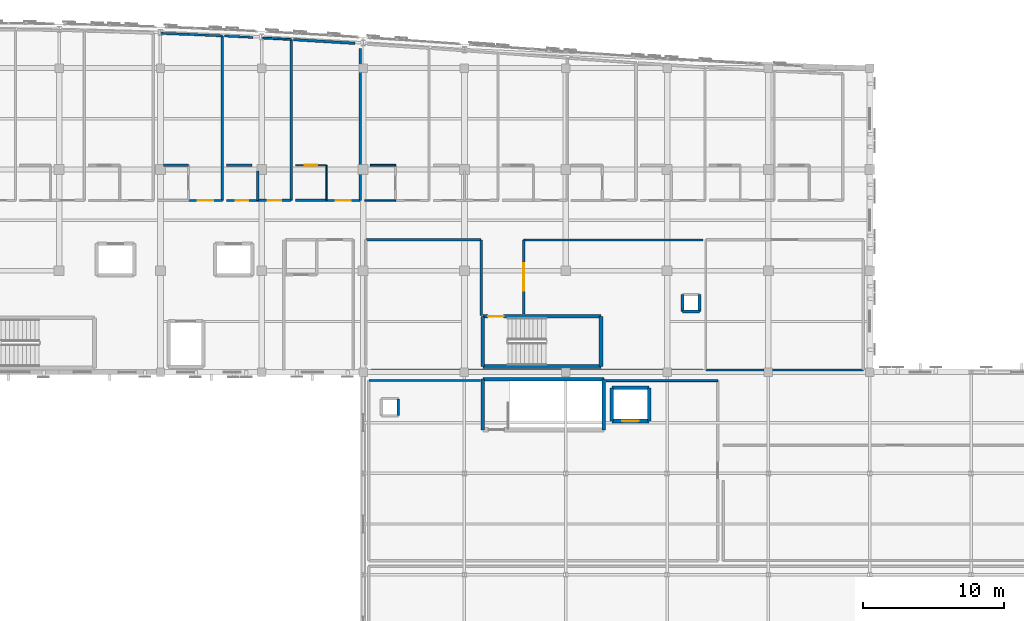
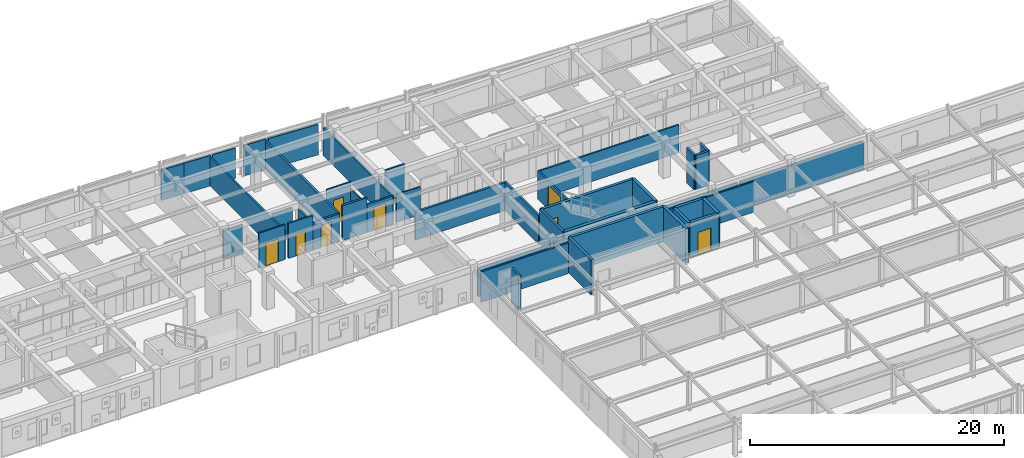
# One storey, part 64 of 73: 43 walls, 8 doors, 8 openings.
"""IFC4 building model written with IfcOpenShell, lengths in metres."""

from ifc_helpers import new_model, si_unit, direction, frame, frame_2d, origin, place, context, subcontext, project, spatial, rectangle, extrude, material, layer, layer_set, type_object, element, fill, save


model = new_model("IFC4")

# Units and contexts
model_context = context("Model", 3, precision=1e-05, world=origin(), true_north=direction((0.0, 1.0)))
body_context = subcontext(model_context, "Body", "Model", "MODEL_VIEW")
ifc_project = project(units=[si_unit("LENGTHUNIT", "METRE"), si_unit("AREAUNIT", "SQUARE_METRE"), si_unit("VOLUMEUNIT", "CUBIC_METRE"), si_unit("PLANEANGLEUNIT", "RADIAN"), si_unit("MASSUNIT", "GRAM", prefix="KILO")], contexts=[model_context])

# Site, building, storey
site_placement = place(None, origin())
site = spatial("IfcSite", under=ifc_project, at=site_placement, CompositionType="ELEMENT")
building_placement = place(site_placement, origin())
building = spatial("IfcBuilding", under=site, at=building_placement, Name="Carrowvane Square Congress Hotel", CompositionType="ELEMENT")
storey_placement = place(building_placement, frame((0.0, 0.0, 19.199951171875)))
storey = spatial("IfcBuildingStorey", under=building, at=storey_placement, Name="L04", CompositionType="ELEMENT", Elevation=19.199951171875)

# Wall
ifc_material_1 = material(Name="Acoustic gypsum board", Category="gypsum")
ifc_layer_1 = layer(ifc_material_1, 0.155029296875)
ifc_layer_set_1 = layer_set([ifc_layer_1], Name="Acoustic gypsum board")
wall_type_1 = type_object("IfcWallType", Name="WL-FIR-155", PredefinedType="PARTITIONING", material=ifc_layer_set_1)
wall_1_placement = place(storey_placement, frame((162.35009765625, 91.9599609375, 0.0), z_axis=(0.0, 0.0, 1.0), x_axis=(-1.0, 0.0, 0.0)))
element("IfcWall", 1, at=wall_1_placement, inside=storey, type_object=wall_type_1, Name="L04 L04 East Executive Club Lounge partition", PredefinedType="PARTITIONING", context=body_context, shape_type="SweptSolid", body=[
    extrude(rectangle(XDim=11.2001953125, YDim=0.155029296875, at=frame_2d((5.60009765625, 0.0))), origin(), (0.0, 0.0, 1.0), 2.735107421875),
])

# Wall, opening, door
wall_2_placement = place(storey_placement, frame((138.2099609375, 95.929931640625, 0.0), z_axis=(0.0, 0.0, 1.0), x_axis=(0.0, 1.0, 0.0)))
wall_2 = element("IfcWall", 2, at=wall_2_placement, inside=storey, type_object=wall_type_1, Name="L04 L04 East Delegate Linen and Service Room partition", PredefinedType="PARTITIONING", context=body_context, shape_type="SweptSolid", body=[
    extrude(rectangle(XDim=5.27001953125, YDim=0.155029296875, at=frame_2d((2.635009765625, 0.0))), origin(), (0.0, 0.0, 1.0), 2.735107421875),
])
opening_1_placement = place(wall_2_placement, frame((1.659912109375, 0.0, 0.0)))
opening_1 = element("IfcOpeningElement", 3, at=opening_1_placement, cuts=wall_2, Name="Opening ID-14", PredefinedType="OPENING", context=body_context, shape_type="SweptSolid", body=[
    extrude(rectangle(XDim=1.949951171875, YDim=2.35009765625, at=frame_2d((0.97509765625, 1.175048828125))), frame((0.0, 0.08740234375, 0.0), z_axis=(0.0, -1.0, 0.0), x_axis=(1.0, 0.0, 0.0)), (0.0, 0.0, 1.0), 0.175048828125),
])
ifc_material_2 = material(Name="European oak timber", Category="wood")
door_type_1 = type_object("IfcDoorType", Name="DR-INT-1950x2350", OperationType="DOUBLE_DOOR_SINGLE_SWING", PredefinedType="DOOR", material=ifc_material_2)
door_1_placement = place(opening_1_placement, origin())
door_1 = element("IfcDoor", 4, at=door_1_placement, inside=storey, type_object=door_type_1, Name="L04 L04 East Delegate Linen and Service Room entrance door", OperationType="DOUBLE_DOOR_SINGLE_SWING", OverallHeight=2.35009765625, OverallWidth=1.949951171875, PredefinedType="DOOR", context=body_context, shape_type="SweptSolid", body=[
    extrude(rectangle(XDim=1.949951171875, YDim=2.35009765625, at=frame_2d((0.97509765625, 1.175048828125))), frame((0.0, 0.02490234375, 0.0), z_axis=(0.0, -1.0, 0.0), x_axis=(1.0, 0.0, 0.0)), (0.0, 0.0, 1.0), 0.050048828125),
])
fill(opening_1, door_1)

# Walls
wall_3_placement = place(storey_placement, frame((112.610107421875, 106.5, 0.0), z_axis=(0.0, 0.0, 1.0), x_axis=(1.0, 0.0, 0.0)))
element("IfcWall", 5, at=wall_3_placement, inside=storey, type_object=wall_type_1, Name="L04 En-suite Bathroom 0419 partition", PredefinedType="PARTITIONING", context=body_context, shape_type="SweptSolid", body=[
    extrude(rectangle(XDim=1.789794921875, YDim=0.155029296875, at=frame_2d((0.89501953125, 0.0))), origin(), (0.0, 0.0, 1.0), 2.68505859375),
])
wall_4_placement = place(storey_placement, frame((114.419921875, 115.79296875, 0.0), z_axis=(0.0, 0.0, 1.0), x_axis=(0.999006795059, -0.044558090468, 0.0)))
element("IfcWall", 6, at=wall_4_placement, inside=storey, type_object=wall_type_1, Name="L04 Parkview Guest Bedroom 0419 partition", PredefinedType="PARTITIONING", context=body_context, shape_type="SweptSolid", body=[
    extrude(rectangle(XDim=2.37255859375, YDim=0.155029296875, at=frame_2d((1.186279296875, 0.0))), origin(), (0.0, 0.0, 1.0), 2.925537109375),
])

# Wall, opening, door
wall_5_placement = place(storey_placement, frame((119.300048828125, 104.0, 0.0), z_axis=(0.0, 0.0, 1.0), x_axis=(-1.0, 0.0, 0.0)))
wall_5 = element("IfcWall", 7, at=wall_5_placement, inside=storey, type_object=wall_type_1, Name="L04 En-suite Bathroom 0420 partition", PredefinedType="PARTITIONING", context=body_context, shape_type="SweptSolid", body=[
    extrude(rectangle(XDim=2.199951171875, YDim=0.155029296875, at=frame_2d((1.10009765625, 0.0))), origin(), (0.0, 0.0, 1.0), 3.35009765625),
])
opening_2_placement = place(wall_5_placement, frame((0.6650390625, 0.0, 0.0)))
opening_2 = element("IfcOpeningElement", 8, at=opening_2_placement, cuts=wall_5, Name="Opening ID-15", PredefinedType="OPENING", context=body_context, shape_type="SweptSolid", body=[
    extrude(rectangle(XDim=0.8701171875, YDim=2.070068359375, at=frame_2d((0.43505859375, 1.03515625))), frame((0.0, 0.08740234375, 0.0), z_axis=(0.0, -1.0, 0.0), x_axis=(1.0, 0.0, 0.0)), (0.0, 0.0, 1.0), 0.175048828125),
])
ifc_material_3 = material(Name="European oak timber", Category="wood")
door_type_2 = type_object("IfcDoorType", Name="DR-INT-0870x2070", OperationType="NOTDEFINED", PredefinedType="DOOR", material=ifc_material_3)
door_2_placement = place(opening_2_placement, origin())
door_2 = element("IfcDoor", 9, at=door_2_placement, inside=storey, type_object=door_type_2, Name="L04 En-suite Bathroom 0420 door", OperationType="SINGLE_SWING_LEFT", OverallHeight=2.070068359375, OverallWidth=0.8701171875, PredefinedType="DOOR", context=body_context, shape_type="SweptSolid", body=[
    extrude(rectangle(XDim=0.8701171875, YDim=2.070068359375, at=frame_2d((0.43505859375, 1.03515625))), frame((0.0, 0.02490234375, 0.0), z_axis=(0.0, -1.0, 0.0), x_axis=(1.0, 0.0, 0.0)), (0.0, 0.0, 1.0), 0.050048828125),
])
fill(opening_2, door_2)

wall_6_placement = place(storey_placement, frame((126.590087890625, 104.0, 0.0), z_axis=(0.0, 0.0, 1.0), x_axis=(-1.0, 0.0, 0.0)))
wall_6 = element("IfcWall", 10, at=wall_6_placement, inside=storey, type_object=wall_type_1, Name="L04 Parkview Guest Bedroom 0421 partition", PredefinedType="PARTITIONING", context=body_context, shape_type="SweptSolid", body=[
    extrude(rectangle(XDim=2.380126953125, YDim=0.155029296875, at=frame_2d((1.18994140625, 0.0))), origin(), (0.0, 0.0, 1.0), 2.68505859375),
])
opening_3_placement = place(wall_6_placement, frame((0.659912109375, 0.0, 0.0)))
opening_3 = element("IfcOpeningElement", 11, at=opening_3_placement, cuts=wall_6, Name="Opening FD-09", PredefinedType="OPENING", context=body_context, shape_type="SweptSolid", body=[
    extrude(rectangle(XDim=1.06005859375, YDim=2.199951171875, at=frame_2d((0.530029296875, 1.10009765625))), frame((0.0, 0.08740234375, 0.0), z_axis=(0.0, -1.0, 0.0), x_axis=(1.0, 0.0, 0.0)), (0.0, 0.0, 1.0), 0.175048828125),
])
ifc_material_4 = material(Name="European oak timber", Category="wood")
door_type_3 = type_object("IfcDoorType", Name="DR-FD30-1060x2200", OperationType="NOTDEFINED", PredefinedType="DOOR", material=ifc_material_4)
door_3_placement = place(opening_3_placement, origin())
door_3 = element("IfcDoor", 12, at=door_3_placement, inside=storey, type_object=door_type_3, Name="L04 Parkview Guest Bedroom 0421 entrance door", OperationType="SINGLE_SWING_RIGHT", OverallHeight=2.199951171875, OverallWidth=1.06005859375, PredefinedType="DOOR", context=body_context, shape_type="SweptSolid", body=[
    extrude(rectangle(XDim=1.06005859375, YDim=2.199951171875, at=frame_2d((0.530029296875, 1.10009765625))), frame((0.0, 0.02490234375, 0.0), z_axis=(0.0, -1.0, 0.0), x_axis=(1.0, 0.0, 0.0)), (0.0, 0.0, 1.0), 0.050048828125),
])
fill(opening_3, door_3)

# Walls
ifc_material_5 = material(Name="Acoustic gypsum board", Category="gypsum")
ifc_layer_2 = layer(ifc_material_5, 0.169921875)
ifc_layer_set_2 = layer_set([ifc_layer_2], Name="Acoustic gypsum board")
wall_type_2 = type_object("IfcWallType", Name="WL-FIR-170", PredefinedType="PARTITIONING", material=ifc_layer_set_2)
wall_7_placement = place(storey_placement, frame((135.18994140625, 101.199951171875, 0.0), z_axis=(0.0, 0.0, 1.0), x_axis=(0.000636913569, -0.999999797171, 0.0)))
element("IfcWall", 13, at=wall_7_placement, inside=storey, type_object=wall_type_2, Name="L04 L04 East Delegate Linen and Service Room partition", PredefinedType="PARTITIONING", context=body_context, shape_type="SweptSolid", body=[
    extrude(rectangle(XDim=5.366455078125, YDim=0.169921875, at=frame_2d((2.68310546875, 0.0))), origin(), (0.0, 0.0, 1.0), 2.735107421875),
])
wall_8_placement = place(storey_placement, frame((112.40966796875, 115.8720703125, 0.0), z_axis=(0.0, 0.0, 1.0), x_axis=(0.999226724362, -0.039318612909, 0.0)))
element("IfcWall", 14, at=wall_8_placement, inside=storey, type_object=wall_type_2, Name="L04 Parkview Guest Bedroom 0419 partition", PredefinedType="PARTITIONING", context=body_context, shape_type="SweptSolid", body=[
    extrude(rectangle(XDim=2.01171875, YDim=0.169921875, at=frame_2d((1.005859375, 0.0))), origin(), (0.0, 0.0, 1.0), 2.925537109375),
])
wall_9_placement = place(storey_placement, frame((119.300048828125, 106.090087890625, 0.0), z_axis=(0.0, 0.0, 1.0), x_axis=(0.0, -1.0, 0.0)))
element("IfcWall", 15, at=wall_9_placement, inside=storey, type_object=wall_type_2, Name="L04 En-suite Bathroom 0420 partition", PredefinedType="PARTITIONING", context=body_context, shape_type="SweptSolid", body=[
    extrude(rectangle(XDim=2.090087890625, YDim=0.169921875, at=frame_2d((1.044921875, 0.0))), origin(), (0.0, 0.0, 1.0), 2.68505859375),
])

# Wall, opening, door
wall_10_placement = place(storey_placement, frame((121.68994140625, 104.0, 0.0), z_axis=(0.0, 0.0, 1.0), x_axis=(-1.0, 0.0, 0.0)))
wall_10 = element("IfcWall", 16, at=wall_10_placement, inside=storey, type_object=wall_type_2, Name="L04 Parkview Guest Bedroom 0420 partition", PredefinedType="PARTITIONING", context=body_context, shape_type="SweptSolid", body=[
    extrude(rectangle(XDim=2.3798828125, YDim=0.169921875, at=frame_2d((1.18994140625, 0.0))), origin(), (0.0, 0.0, 1.0), 2.68505859375),
])
opening_4_placement = place(wall_10_placement, frame((0.699951171875, 0.0, 0.0)))
opening_4 = element("IfcOpeningElement", 17, at=opening_4_placement, cuts=wall_10, Name="Opening FD-07", PredefinedType="OPENING", context=body_context, shape_type="SweptSolid", body=[
    extrude(rectangle(XDim=0.97998046875, YDim=2.14990234375, at=frame_2d((0.489990234375, 1.074951171875))), frame((0.0, 0.094970703125, 0.0), z_axis=(0.0, -1.0, 0.0), x_axis=(1.0, 0.0, 0.0)), (0.0, 0.0, 1.0), 0.18994140625),
])
ifc_material_6 = material(Name="European oak timber", Category="wood")
door_type_4 = type_object("IfcDoorType", Name="DR-FD30-0980x2150", OperationType="NOTDEFINED", PredefinedType="DOOR", material=ifc_material_6)
door_4_placement = place(opening_4_placement, origin())
door_4 = element("IfcDoor", 18, at=door_4_placement, inside=storey, type_object=door_type_4, Name="L04 Parkview Guest Bedroom 0420 entrance door", OperationType="SINGLE_SWING_RIGHT", OverallHeight=2.14990234375, OverallWidth=0.97998046875, PredefinedType="DOOR", context=body_context, shape_type="SweptSolid", body=[
    extrude(rectangle(XDim=0.97998046875, YDim=2.14990234375, at=frame_2d((0.489990234375, 1.074951171875))), frame((0.0, 0.02490234375, 0.0), z_axis=(0.0, -1.0, 0.0), x_axis=(1.0, 0.0, 0.0)), (0.0, 0.0, 1.0), 0.050048828125),
])
fill(opening_4, door_4)

# Walls
wall_11_placement = place(storey_placement, frame((126.590087890625, 114.77734375, 0.0), z_axis=(0.0, 0.0, 1.0), x_axis=(0.0, -1.0, 0.0)))
element("IfcWall", 19, at=wall_11_placement, inside=storey, type_object=wall_type_2, Name="L04 Parkview Guest Bedroom 0421 partition", PredefinedType="PARTITIONING", context=body_context, shape_type="SweptSolid", body=[
    extrude(rectangle(XDim=10.77734375, YDim=0.169921875, at=frame_2d((5.388671875, 0.0))), origin(), (0.0, 0.0, 1.0), 2.68505859375),
])
ifc_material_7 = material(Name="Acoustic gypsum board", Category="gypsum")
ifc_layer_3 = layer(ifc_material_7, 0.18505859375)
ifc_layer_set_3 = layer_set([ifc_layer_3], Name="Acoustic gypsum board")
wall_type_3 = type_object("IfcWallType", Name="WL-FIR-185", PredefinedType="PARTITIONING", material=ifc_layer_set_3)
wall_12_placement = place(storey_placement, frame((127.0, 101.199951171875, 0.0), z_axis=(0.0, 0.0, 1.0), x_axis=(1.0, 0.0, 0.0)))
element("IfcWall", 20, at=wall_12_placement, inside=storey, type_object=wall_type_3, Name="L04 L04 East Delegate Linen and Service Room partition", PredefinedType="PARTITIONING", context=body_context, shape_type="SweptSolid", body=[
    extrude(rectangle(XDim=8.18994140625, YDim=0.18505859375, at=frame_2d((4.094970703125, 0.0))), origin(), (0.0, 0.0, 1.0), 2.68505859375),
])
wall_13_placement = place(storey_placement, frame((117.10009765625, 106.5, 0.0), z_axis=(0.0, 0.0, 1.0), x_axis=(1.0, 0.0, 0.0)))
element("IfcWall", 21, at=wall_13_placement, inside=storey, type_object=wall_type_3, Name="L04 En-suite Bathroom 0420 partition", PredefinedType="PARTITIONING", context=body_context, shape_type="SweptSolid", body=[
    extrude(rectangle(XDim=1.789794921875, YDim=0.18505859375, at=frame_2d((0.89501953125, 0.0))), origin(), (0.0, 0.0, 1.0), 2.735107421875),
])
wall_14_placement = place(storey_placement, frame((121.68994140625, 115.432861328125, 0.0), z_axis=(0.0, 0.0, 1.0), x_axis=(0.0, -1.0, 0.0)))
element("IfcWall", 22, at=wall_14_placement, inside=storey, type_object=wall_type_3, Name="L04 Parkview Guest Bedroom 0420 partition", PredefinedType="PARTITIONING", context=body_context, shape_type="SweptSolid", body=[
    extrude(rectangle(XDim=11.432861328125, YDim=0.18505859375, at=frame_2d((5.71630859375, 0.0))), origin(), (0.0, 0.0, 1.0), 2.735107421875),
])
wall_15_placement = place(storey_placement, frame((124.199951171875, 104.0, 0.0), z_axis=(0.0, 0.0, 1.0), x_axis=(-1.0, 0.0, 0.0)))
element("IfcWall", 23, at=wall_15_placement, inside=storey, type_object=wall_type_3, Name="L04 En-suite Bathroom 0421 partition", PredefinedType="PARTITIONING", context=body_context, shape_type="SweptSolid", body=[
    extrude(rectangle(XDim=2.199951171875, YDim=0.18505859375, at=frame_2d((1.10009765625, 0.0))), origin(), (0.0, 0.0, 1.0), 3.35009765625),
])
wall_16_placement = place(storey_placement, frame((121.85009765625, 115.424072265625, 0.0), z_axis=(0.0, 0.0, 1.0), x_axis=(0.998176732674, -0.060359012147, 0.0)))
element("IfcWall", 24, at=wall_16_placement, inside=storey, type_object=wall_type_3, Name="L04 Parkview Guest Bedroom 0421 partition", PredefinedType="PARTITIONING", context=body_context, shape_type="SweptSolid", body=[
    extrude(rectangle(XDim=4.388671875, YDim=0.18505859375, at=frame_2d((2.1943359375, 0.0))), origin(), (0.0, 0.0, 1.0), 2.925537109375),
])
ifc_material_8 = material(Name="Standing-seam zinc cladding", Category="metal")
ifc_layer_4 = layer(ifc_material_8, 0.195068359375)
ifc_layer_set_4 = layer_set([ifc_layer_4], Name="Standing-seam zinc cladding")
wall_type_4 = type_object("IfcWallType", Name="WL-PAR-195", PredefinedType="PARAPET", material=ifc_layer_set_4)
for number, where, z_axis, x_axis, name in (
    (25, (129.300048828125, 88.699951171875, 0.0), (0.0, 0.0, 1.0), (0.0, 1.0, 0.0), "L04 service riser RSR-V3 enclosure E"),
    (26, (149.5, 96.10009765625, 0.0), (0.0, 0.0, 1.0), (1.0, 0.0, 0.0), "L04 service riser RSR-V5E enclosure S"),
    (27, (150.699951171875, 96.10009765625, 0.0), (0.0, 0.0, 1.0), (0.0, 1.0, 0.0), "L04 service riser RSR-V5E enclosure E"),
    (28, (149.5, 97.300048828125, 0.0), (0.0, 0.0, 1.0), (0.0, -1.0, 0.0), "L04 service riser RSR-V5E enclosure W"),
):
    element("IfcWall", number, at=place(storey_placement, frame(where, z_axis=z_axis, x_axis=x_axis)), inside=storey, type_object=wall_type_4, Name=name, PredefinedType="PARAPET", context=body_context, shape_type="SweptSolid", body=[
        extrude(rectangle(XDim=1.199951171875, YDim=0.195068359375, at=frame_2d((0.60009765625, 0.0))), origin(), (0.0, 0.0, 1.0), 3.35009765625),
    ])
ifc_material_9 = material(Name="Acoustic gypsum board", Category="gypsum")
ifc_layer_5 = layer(ifc_material_9, 0.097900390625)
ifc_layer_set_5 = layer_set([ifc_layer_5], Name="Acoustic gypsum board")
wall_type_5 = type_object("IfcWallType", Name="WL-PRT-098", PredefinedType="PARTITIONING", material=ifc_layer_set_5)
wall_17_placement = place(storey_placement, frame((124.199951171875, 106.5, 0.0), z_axis=(0.0, 0.0, 1.0), x_axis=(0.0, -1.0, 0.0)))
element("IfcWall", 29, at=wall_17_placement, inside=storey, type_object=wall_type_5, Name="L04 En-suite Bathroom 0421 partition", PredefinedType="PARTITIONING", context=body_context, shape_type="SweptSolid", body=[
    extrude(rectangle(XDim=2.5, YDim=0.097900390625, at=frame_2d((1.25, 0.0))), origin(), (0.0, 0.0, 1.0), 2.735107421875),
])

# Wall, opening, door
ifc_material_10 = material(Name="Acoustic gypsum board", Category="gypsum")
ifc_layer_6 = layer(ifc_material_10, 0.10791015625)
ifc_layer_set_6 = layer_set([ifc_layer_6], Name="Acoustic gypsum board")
wall_type_6 = type_object("IfcWallType", Name="WL-PRT-108", PredefinedType="PARTITIONING", material=ifc_layer_set_6)
wall_18_placement = place(storey_placement, frame((122.0, 106.5, 0.0), z_axis=(0.0, 0.0, 1.0), x_axis=(1.0, 0.0, 0.0)))
wall_18 = element("IfcWall", 30, at=wall_18_placement, inside=storey, type_object=wall_type_6, Name="L04 En-suite Bathroom 0421 partition", PredefinedType="PARTITIONING", context=body_context, shape_type="SweptSolid", body=[
    extrude(rectangle(XDim=2.199951171875, YDim=0.10791015625, at=frame_2d((1.10009765625, 0.0))), origin(), (0.0, 0.0, 1.0), 3.35009765625),
])
opening_5_placement = place(wall_18_placement, frame((0.64501953125, 0.0, 0.0)))
opening_5 = element("IfcOpeningElement", 31, at=opening_5_placement, cuts=wall_18, Name="Opening ID-17", PredefinedType="OPENING", context=body_context, shape_type="SweptSolid", body=[
    extrude(rectangle(XDim=0.909912109375, YDim=2.110107421875, at=frame_2d((0.455078125, 1.05517578125))), frame((0.0, 0.06396484375, 0.0), z_axis=(0.0, -1.0, 0.0), x_axis=(1.0, 0.0, 0.0)), (0.0, 0.0, 1.0), 0.1279296875),
])
ifc_material_11 = material(Name="European oak timber", Category="wood")
door_type_5 = type_object("IfcDoorType", Name="DR-INT-0910x2110", OperationType="NOTDEFINED", PredefinedType="DOOR", material=ifc_material_11)
door_5_placement = place(opening_5_placement, origin())
door_5 = element("IfcDoor", 32, at=door_5_placement, inside=storey, type_object=door_type_5, Name="L04 En-suite Bathroom 0421 door", OperationType="SINGLE_SWING_LEFT", OverallHeight=2.110107421875, OverallWidth=0.909912109375, PredefinedType="DOOR", context=body_context, shape_type="SweptSolid", body=[
    extrude(rectangle(XDim=0.909912109375, YDim=2.110107421875, at=frame_2d((0.455078125, 1.05517578125))), frame((0.0, 0.02490234375, 0.0), z_axis=(0.0, -1.0, 0.0), x_axis=(1.0, 0.0, 0.0)), (0.0, 0.0, 1.0), 0.050048828125),
])
fill(opening_5, door_5)

# Wall
ifc_material_12 = material(Name="Acoustic gypsum board", Category="gypsum")
ifc_layer_7 = layer(ifc_material_12, 0.117919921875)
ifc_layer_set_7 = layer_set([ifc_layer_7], Name="Acoustic gypsum board")
wall_type_7 = type_object("IfcWallType", Name="WL-PRT-118", PredefinedType="PARTITIONING", material=ifc_layer_set_7)
wall_19_placement = place(storey_placement, frame((129.10009765625, 104.0, 0.0), z_axis=(0.0, 0.0, 1.0), x_axis=(-1.0, 0.0, 0.0)))
element("IfcWall", 33, at=wall_19_placement, inside=storey, type_object=wall_type_7, Name="L04 En-suite Bathroom 0422 partition", PredefinedType="PARTITIONING", context=body_context, shape_type="SweptSolid", body=[
    extrude(rectangle(XDim=2.2001953125, YDim=0.117919921875, at=frame_2d((1.10009765625, 0.0))), origin(), (0.0, 0.0, 1.0), 2.68505859375),
])

# Wall, opening, door
ifc_material_13 = material(Name="Acoustic gypsum board", Category="gypsum")
ifc_layer_8 = layer(ifc_material_13, 0.137939453125)
ifc_layer_set_8 = layer_set([ifc_layer_8], Name="Acoustic gypsum board")
wall_type_8 = type_object("IfcWallType", Name="WL-PRT-138", PredefinedType="PARTITIONING", material=ifc_layer_set_8)
wall_20_placement = place(storey_placement, frame((116.7900390625, 104.0, 0.0), z_axis=(0.0, 0.0, 1.0), x_axis=(-1.0, 0.0, 0.0)))
wall_20 = element("IfcWall", 34, at=wall_20_placement, inside=storey, type_object=wall_type_8, Name="L04 Parkview Guest Bedroom 0419 partition", PredefinedType="PARTITIONING", context=body_context, shape_type="SweptSolid", body=[
    extrude(rectangle(XDim=2.380126953125, YDim=0.137939453125, at=frame_2d((1.18994140625, 0.0))), origin(), (0.0, 0.0, 1.0), 3.35009765625),
])
opening_6_placement = place(wall_20_placement, frame((0.6298828125, 0.0, 0.0)))
opening_6 = element("IfcOpeningElement", 35, at=opening_6_placement, cuts=wall_20, Name="Opening FD-10", PredefinedType="OPENING", context=body_context, shape_type="SweptSolid", body=[
    extrude(rectangle(XDim=1.1201171875, YDim=2.199951171875, at=frame_2d((0.56005859375, 1.10009765625))), frame((0.0, 0.078857421875, 0.0), z_axis=(0.0, -1.0, 0.0), x_axis=(1.0, 0.0, 0.0)), (0.0, 0.0, 1.0), 0.157958984375),
])
ifc_material_14 = material(Name="European oak timber", Category="wood")
door_type_6 = type_object("IfcDoorType", Name="DR-FD30-1120x2200", OperationType="NOTDEFINED", PredefinedType="DOOR", material=ifc_material_14)
door_6_placement = place(opening_6_placement, origin())
door_6 = element("IfcDoor", 36, at=door_6_placement, inside=storey, type_object=door_type_6, Name="L04 Parkview Guest Bedroom 0419 entrance door", OperationType="SINGLE_SWING_RIGHT", OverallHeight=2.199951171875, OverallWidth=1.1201171875, PredefinedType="DOOR", context=body_context, shape_type="SweptSolid", body=[
    extrude(rectangle(XDim=1.1201171875, YDim=2.199951171875, at=frame_2d((0.56005859375, 1.10009765625))), frame((0.0, 0.02490234375, 0.0), z_axis=(0.0, -1.0, 0.0), x_axis=(1.0, 0.0, 0.0)), (0.0, 0.0, 1.0), 0.050048828125),
])
fill(opening_6, door_6)

# Walls
wall_21_placement = place(storey_placement, frame((119.679443359375, 115.542236328125, 0.0), z_axis=(0.0, 0.0, 1.0), x_axis=(0.998523490871, -0.054321617961, 0.0)))
element("IfcWall", 37, at=wall_21_placement, inside=storey, type_object=wall_type_8, Name="L04 Parkview Guest Bedroom 0420 partition", PredefinedType="PARTITIONING", context=body_context, shape_type="SweptSolid", body=[
    extrude(rectangle(XDim=2.013427734375, YDim=0.137939453125, at=frame_2d((1.0068359375, 0.0))), origin(), (0.0, 0.0, 1.0), 2.925537109375),
])
wall_22_placement = place(storey_placement, frame((127.31005859375, 106.5, 0.0), z_axis=(0.0, 0.0, 1.0), x_axis=(1.0, 0.0, 0.0)))
element("IfcWall", 38, at=wall_22_placement, inside=storey, type_object=wall_type_8, Name="L04 En-suite Bathroom 0422 partition", PredefinedType="PARTITIONING", context=body_context, shape_type="SweptSolid", body=[
    extrude(rectangle(XDim=1.7900390625, YDim=0.137939453125, at=frame_2d((0.89501953125, 0.0))), origin(), (0.0, 0.0, 1.0), 3.35009765625),
])
wall_23_placement = place(storey_placement, frame((144.070068359375, 91.199951171875, 0.0), z_axis=(0.0, 0.0, 1.0), x_axis=(1.0, 0.0, 0.0)))
element("IfcWall", 39, at=wall_23_placement, inside=storey, type_object=wall_type_8, Name="L04 Sky Bar Tapas Kitchen and Cellar partition", PredefinedType="PARTITIONING", context=body_context, shape_type="SweptSolid", body=[
    extrude(rectangle(XDim=7.929931640625, YDim=0.137939453125, at=frame_2d((3.96484375, 0.0))), origin(), (0.0, 0.0, 1.0), 2.925537109375),
])
ifc_material_15 = material(Name="Acoustic gypsum board", Category="gypsum")
ifc_layer_9 = layer(ifc_material_15, 0.14794921875)
ifc_layer_set_9 = layer_set([ifc_layer_9], Name="Acoustic gypsum board")
wall_type_9 = type_object("IfcWallType", Name="WL-PRT-148", PredefinedType="PARTITIONING", material=ifc_layer_set_9)
wall_24_placement = place(storey_placement, frame((150.949951171875, 91.9599609375, 0.0), z_axis=(0.0, 0.0, 1.0), x_axis=(-1.0, 0.0, 0.0)))
element("IfcWall", 40, at=wall_24_placement, inside=storey, type_object=wall_type_9, Name="L04 L04 East Delegate Linen and Service Room partition", PredefinedType="PARTITIONING", context=body_context, shape_type="SweptSolid", body=[
    extrude(rectangle(XDim=23.58984375, YDim=0.14794921875, at=frame_2d((11.794921875, 0.0))), origin(), (0.0, 0.0, 1.0), 2.735107421875),
])
wall_25_placement = place(storey_placement, frame((138.2099609375, 101.199951171875, 0.0), z_axis=(0.0, 0.0, 1.0), x_axis=(1.0, 0.0, 0.0)))
element("IfcWall", 41, at=wall_25_placement, inside=storey, type_object=wall_type_9, Name="L04 L04 East Delegate Linen and Service Room partition", PredefinedType="PARTITIONING", context=body_context, shape_type="SweptSolid", body=[
    extrude(rectangle(XDim=12.739990234375, YDim=0.14794921875, at=frame_2d((6.3701171875, 0.0))), origin(), (0.0, 0.0, 1.0), 2.68505859375),
])
wall_26_placement = place(storey_placement, frame((116.7900390625, 115.687255859375, 0.0), z_axis=(0.0, 0.0, 1.0), x_axis=(0.0, -1.0, 0.0)))
element("IfcWall", 42, at=wall_26_placement, inside=storey, type_object=wall_type_9, Name="L04 Parkview Guest Bedroom 0419 partition", PredefinedType="PARTITIONING", context=body_context, shape_type="SweptSolid", body=[
    extrude(rectangle(XDim=11.687255859375, YDim=0.14794921875, at=frame_2d((5.84375, 0.0))), origin(), (0.0, 0.0, 1.0), 2.735107421875),
])
wall_27_placement = place(storey_placement, frame((116.949951171875, 115.679931640625, 0.0), z_axis=(0.0, 0.0, 1.0), x_axis=(0.998756871488, -0.049846882111, 0.0)))
element("IfcWall", 43, at=wall_27_placement, inside=storey, type_object=wall_type_9, Name="L04 Parkview Guest Bedroom 0420 partition", PredefinedType="PARTITIONING", context=body_context, shape_type="SweptSolid", body=[
    extrude(rectangle(XDim=2.012939453125, YDim=0.14794921875, at=frame_2d((1.00634765625, 0.0))), origin(), (0.0, 0.0, 1.0), 2.925537109375),
])
wall_28_placement = place(storey_placement, frame((127.199951171875, 91.199951171875, 0.0), z_axis=(0.0, 0.0, 1.0), x_axis=(1.0, 0.0, 0.0)))
element("IfcWall", 44, at=wall_28_placement, inside=storey, type_object=wall_type_9, Name="L04 Sky Bar Tapas Kitchen and Cellar partition", PredefinedType="PARTITIONING", context=body_context, shape_type="SweptSolid", body=[
    extrude(rectangle(XDim=7.929931640625, YDim=0.14794921875, at=frame_2d((3.96484375, 0.0))), origin(), (0.0, 0.0, 1.0), 2.925537109375),
])
ifc_material_16 = material(Name="Concrete C40/50", Category="concrete")
ifc_layer_10 = layer(ifc_material_16, 0.22509765625)
ifc_layer_set_10 = layer_set([ifc_layer_10], Name="Concrete C40/50")
wall_type_10 = type_object("IfcWallType", Name="WL-SHR-225", PredefinedType="SHEAR", material=ifc_layer_set_10)
wall_29_placement = place(storey_placement, frame((135.300048828125, 91.300048828125, 0.0), z_axis=(0.0, 0.0, 1.0), x_axis=(0.0, -1.0, 0.0)))
element("IfcWall", 45, at=wall_29_placement, inside=storey, type_object=wall_type_10, Name="L04 ST8 core wall west", PredefinedType="SHEAR", context=body_context, shape_type="SweptSolid", body=[
    extrude(rectangle(XDim=3.60009765625, YDim=0.22509765625, at=frame_2d((1.800048828125, 0.0))), origin(), (0.0, 0.0, 1.0), 3.35009765625),
])
wall_30_placement = place(storey_placement, frame((135.300048828125, 95.760009765625, 0.0), z_axis=(0.0, 0.0, 1.0), x_axis=(0.0, -1.0, 0.0)))
element("IfcWall", 46, at=wall_30_placement, inside=storey, type_object=wall_type_10, Name="L04 ST12 core wall west", PredefinedType="SHEAR", context=body_context, shape_type="SweptSolid", body=[
    extrude(rectangle(XDim=3.56005859375, YDim=0.22509765625, at=frame_2d((1.780029296875, 0.0))), origin(), (0.0, 0.0, 1.0), 3.35009765625),
])
ifc_material_17 = material(Name="Concrete C40/50", Category="concrete")
ifc_layer_11 = layer(ifc_material_17, 0.25)
ifc_layer_set_11 = layer_set([ifc_layer_11], Name="Concrete C40/50")
wall_type_11 = type_object("IfcWallType", Name="WL-SHR-250", PredefinedType="SHEAR", material=ifc_layer_set_11)
wall_31_placement = place(storey_placement, frame((143.89990234375, 91.300048828125, 0.0), z_axis=(0.0, 0.0, 1.0), x_axis=(-1.0, 0.0, 0.0)))
element("IfcWall", 47, at=wall_31_placement, inside=storey, type_object=wall_type_11, Name="L04 ST8 core wall north", PredefinedType="SHEAR", context=body_context, shape_type="SweptSolid", body=[
    extrude(rectangle(XDim=8.599853515625, YDim=0.25, at=frame_2d((4.2998046875, 0.0))), origin(), (0.0, 0.0, 1.0), 3.35009765625),
])

# Wall, opening, door
wall_32_placement = place(storey_placement, frame((143.699951171875, 95.760009765625, 0.0), z_axis=(0.0, 0.0, 1.0), x_axis=(-1.0, 0.0, 0.0)))
wall_32 = element("IfcWall", 48, at=wall_32_placement, inside=storey, type_object=wall_type_11, Name="L04 ST12 core wall north", PredefinedType="SHEAR", context=body_context, shape_type="SweptSolid", body=[
    extrude(rectangle(XDim=8.39990234375, YDim=0.25, at=frame_2d((4.199951171875, 0.0))), origin(), (0.0, 0.0, 1.0), 3.35009765625),
])
opening_7_placement = place(wall_32_placement, frame((6.909912109375, 0.0, 0.0)))
opening_7 = element("IfcOpeningElement", 49, at=opening_7_placement, cuts=wall_32, Name="Opening FD-01", PredefinedType="OPENING", context=body_context, shape_type="SweptSolid", body=[
    extrude(rectangle(XDim=1.10009765625, YDim=2.10009765625, at=frame_2d((0.550048828125, 1.050048828125))), frame((0.0, 0.135009765625, 0.0), z_axis=(0.0, -1.0, 0.0), x_axis=(1.0, 0.0, 0.0)), (0.0, 0.0, 1.0), 0.27001953125),
])
ifc_material_18 = material(Name="European oak timber", Category="wood")
door_type_7 = type_object("IfcDoorType", Name="DR-FD60-1100x2100", OperationType="NOTDEFINED", PredefinedType="DOOR", material=ifc_material_18)
door_7_placement = place(opening_7_placement, origin())
door_7 = element("IfcDoor", 50, at=door_7_placement, inside=storey, type_object=door_type_7, Name="L04 ST12 fire door", OperationType="SINGLE_SWING_LEFT", OverallHeight=2.10009765625, OverallWidth=1.10009765625, PredefinedType="DOOR", context=body_context, shape_type="SweptSolid", body=[
    extrude(rectangle(XDim=1.10009765625, YDim=2.10009765625, at=frame_2d((0.550048828125, 1.050048828125))), frame((0.0, 0.02490234375, 0.0), z_axis=(0.0, -1.0, 0.0), x_axis=(1.0, 0.0, 0.0)), (0.0, 0.0, 1.0), 0.050048828125),
])
fill(opening_7, door_7)

wall_33_placement = place(storey_placement, frame((144.47509765625, 88.324951171875, 0.0), z_axis=(0.0, 0.0, 1.0), x_axis=(1.0, 0.0, 0.0)))
wall_33 = element("IfcWall", 51, at=wall_33_placement, inside=storey, type_object=wall_type_11, Name="L04 CL-3 shaft wall south", PredefinedType="SHEAR", context=body_context, shape_type="SweptSolid", body=[
    extrude(rectangle(XDim=2.64990234375, YDim=0.25, at=frame_2d((1.324951171875, 0.0))), origin(), (0.0, 0.0, 1.0), 3.35009765625),
])
opening_8_placement = place(wall_33_placement, frame((0.72509765625, 0.0, 0.0)))
opening_8 = element("IfcOpeningElement", 52, at=opening_8_placement, cuts=wall_33, Name="Opening LD-CL-3", PredefinedType="OPENING", context=body_context, shape_type="SweptSolid", body=[
    extrude(rectangle(XDim=1.199951171875, YDim=2.199951171875, at=frame_2d((0.60009765625, 1.10009765625))), frame((0.0, 0.135009765625, 0.0), z_axis=(0.0, -1.0, 0.0), x_axis=(1.0, 0.0, 0.0)), (0.0, 0.0, 1.0), 0.27001953125),
])
ifc_material_19 = material(Name="Stainless steel 316", Category="steel")
door_type_8 = type_object("IfcDoorType", Name="DR-LD-1200x2200", OperationType="DOUBLE_DOOR_SLIDING", PredefinedType="DOOR", material=ifc_material_19)
door_8_placement = place(opening_8_placement, origin())
door_8 = element("IfcDoor", 53, at=door_8_placement, inside=storey, type_object=door_type_8, Name="L04 CL-3 sliding lift landing door", OperationType="DOUBLE_DOOR_SLIDING", OverallHeight=2.199951171875, OverallWidth=1.199951171875, PredefinedType="DOOR", context=body_context, shape_type="SweptSolid", body=[
    extrude(rectangle(XDim=1.199951171875, YDim=2.199951171875, at=frame_2d((0.60009765625, 1.10009765625))), frame((0.0, 0.02490234375, 0.0), z_axis=(0.0, -1.0, 0.0), x_axis=(1.0, 0.0, 0.0)), (0.0, 0.0, 1.0), 0.050048828125),
])
fill(opening_8, door_8)

# Walls
wall_34_placement = place(storey_placement, frame((147.125, 88.324951171875, 0.0), z_axis=(0.0, 0.0, 1.0), x_axis=(0.0, 1.0, 0.0)))
element("IfcWall", 54, at=wall_34_placement, inside=storey, type_object=wall_type_11, Name="L04 CL-3 shaft wall east", PredefinedType="SHEAR", context=body_context, shape_type="SweptSolid", body=[
    extrude(rectangle(XDim=2.35009765625, YDim=0.25, at=frame_2d((1.175048828125, 0.0))), origin(), (0.0, 0.0, 1.0), 3.35009765625),
])
wall_35_placement = place(storey_placement, frame((147.125, 90.675048828125, 0.0), z_axis=(0.0, 0.0, 1.0), x_axis=(-1.0, 0.0, 0.0)))
element("IfcWall", 55, at=wall_35_placement, inside=storey, type_object=wall_type_11, Name="L04 CL-3 shaft wall north", PredefinedType="SHEAR", context=body_context, shape_type="SweptSolid", body=[
    extrude(rectangle(XDim=2.64990234375, YDim=0.25, at=frame_2d((1.324951171875, 0.0))), origin(), (0.0, 0.0, 1.0), 3.35009765625),
])
wall_36_placement = place(storey_placement, frame((144.47509765625, 90.675048828125, 0.0), z_axis=(0.0, 0.0, 1.0), x_axis=(0.0, -1.0, 0.0)))
element("IfcWall", 56, at=wall_36_placement, inside=storey, type_object=wall_type_11, Name="L04 CL-3 shaft wall west", PredefinedType="SHEAR", context=body_context, shape_type="SweptSolid", body=[
    extrude(rectangle(XDim=2.35009765625, YDim=0.25, at=frame_2d((1.175048828125, 0.0))), origin(), (0.0, 0.0, 1.0), 3.35009765625),
])
ifc_material_20 = material(Name="Concrete C40/50", Category="concrete")
ifc_layer_12 = layer(ifc_material_20, 0.27490234375)
ifc_layer_set_12 = layer_set([ifc_layer_12], Name="Concrete C40/50")
wall_type_12 = type_object("IfcWallType", Name="WL-SHR-275", PredefinedType="SHEAR", material=ifc_layer_set_12)
wall_37_placement = place(storey_placement, frame((143.89990234375, 87.699951171875, 0.0), z_axis=(0.0, 0.0, 1.0), x_axis=(0.0, 1.0, 0.0)))
element("IfcWall", 57, at=wall_37_placement, inside=storey, type_object=wall_type_12, Name="L04 ST8 core wall east", PredefinedType="SHEAR", context=body_context, shape_type="SweptSolid", body=[
    extrude(rectangle(XDim=3.60009765625, YDim=0.27490234375, at=frame_2d((1.800048828125, 0.0))), origin(), (0.0, 0.0, 1.0), 3.35009765625),
])
wall_38_placement = place(storey_placement, frame((143.699951171875, 92.199951171875, 0.0), z_axis=(0.0, 0.0, 1.0), x_axis=(0.0, 1.0, 0.0)))
element("IfcWall", 58, at=wall_38_placement, inside=storey, type_object=wall_type_12, Name="L04 ST12 core wall east", PredefinedType="SHEAR", context=body_context, shape_type="SweptSolid", body=[
    extrude(rectangle(XDim=3.56005859375, YDim=0.27490234375, at=frame_2d((1.780029296875, 0.0))), origin(), (0.0, 0.0, 1.0), 3.35009765625),
])
ifc_material_21 = material(Name="Concrete C40/50", Category="concrete")
ifc_layer_13 = layer(ifc_material_21, 0.300048828125)
ifc_layer_set_13 = layer_set([ifc_layer_13], Name="Concrete C40/50")
wall_type_13 = type_object("IfcWallType", Name="WL-SHR-300", PredefinedType="SHEAR", material=ifc_layer_set_13)
wall_39_placement = place(storey_placement, frame((135.300048828125, 92.199951171875, 0.0), z_axis=(0.0, 0.0, 1.0), x_axis=(1.0, 0.0, 0.0)))
element("IfcWall", 59, at=wall_39_placement, inside=storey, type_object=wall_type_13, Name="L04 ST12 core wall south", PredefinedType="SHEAR", context=body_context, shape_type="SweptSolid", body=[
    extrude(rectangle(XDim=8.39990234375, YDim=0.300048828125, at=frame_2d((4.199951171875, 0.0))), origin(), (0.0, 0.0, 1.0), 3.35009765625),
])

save(model, "model.ifc")
